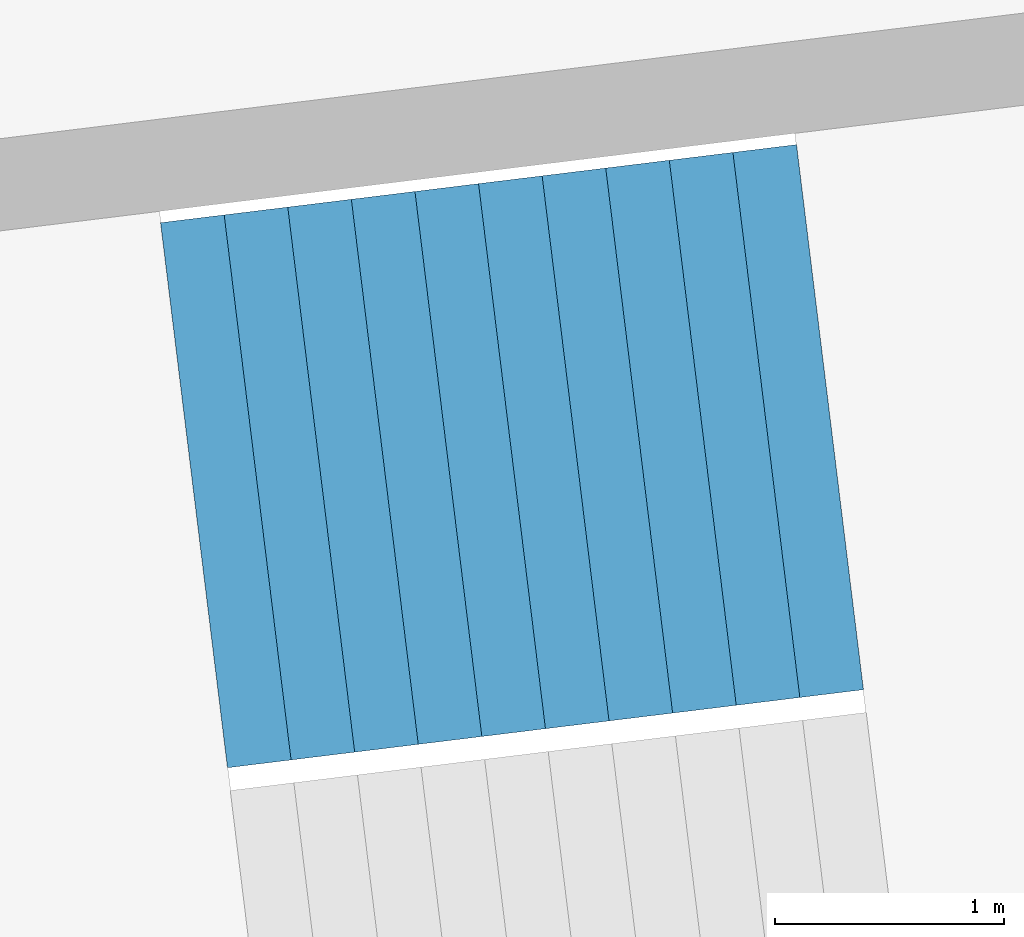
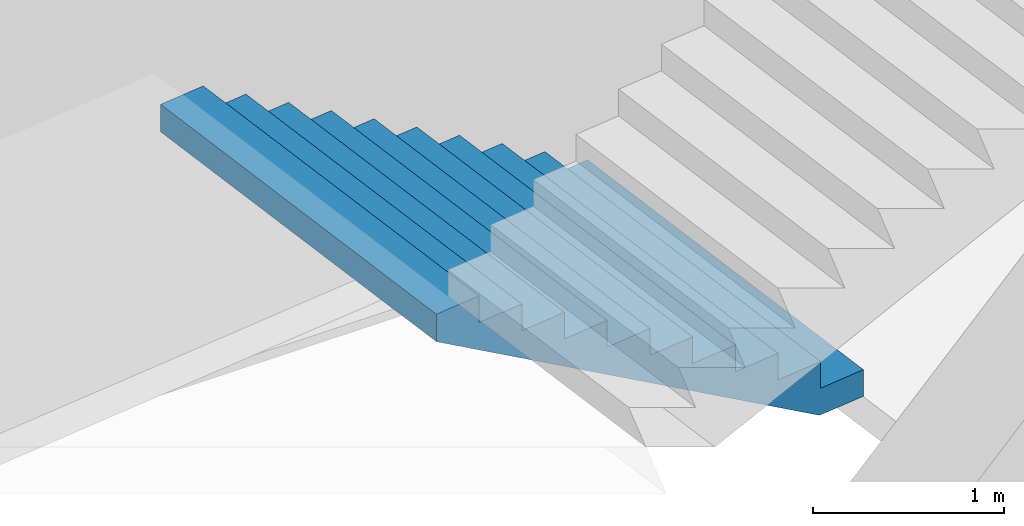
# One storey, part 24 of 73: 1 stair flight, 1 element without a shape of its own.
"""IFC4 building model written with IfcOpenShell, lengths in metres."""

import ifcopenshell
import ifcopenshell.guid

model = None  # the IFC model being written
_history = None  # IfcOwnerHistory: only IFC2X3 demands one
_inside = {}  # id of a spatial element -> (the spatial element, [elements in it])
_under = {}  # id of a project, library or spatial element -> (it, [spatial elements below it])
_declared = {}  # id of a project -> (the project, [libraries it declares])
_typed = {}  # id of a type object -> (the type object, [elements of that type])
_made_of = {}  # id of a material, layer set ... -> (it, [elements and type objects made of it])


def new_model(schema):
    """Start an empty IFC model of exactly this schema.

    Asked for "IFC4X3", IfcOpenShell would pick the latest addendum, in which some entities
    have other attributes; the version numbers below select the first issue.
    IFC2X3 requires an IfcOwnerHistory on every rooted entity: one is made here for all.
    """
    global model, _history
    if schema == "IFC4X3":
        model = ifcopenshell.file(schema_version=(4, 3, 0, 0))
    else:
        model = ifcopenshell.file(schema=schema)
    _inside.clear()
    _under.clear()
    _declared.clear()
    _typed.clear()
    _made_of.clear()
    _history = None
    if model.schema == "IFC2X3":
        org = make("IfcOrganization", Name="unknown")
        user = make(
            "IfcPersonAndOrganization",
            ThePerson=make("IfcPerson", FamilyName="unknown"),
            TheOrganization=org,
        )
        app = make(
            "IfcApplication",
            ApplicationDeveloper=org,
            Version="unknown",
            ApplicationFullName="unknown",
            ApplicationIdentifier="unknown",
        )
        _history = make(
            "IfcOwnerHistory",
            OwningUser=user,
            OwningApplication=app,
            ChangeAction="ADDED",
            CreationDate=0,
        )
    return model


def make(cls, **values):
    """One entity of the class cls with the attributes given. An attribute that is None is left unset."""
    return model.create_entity(
        cls, **{name: value for name, value in values.items() if value is not None}
    )


def rooted(cls, **values):
    """An entity with a GlobalId (a new one), such as an element, a storey or a relation."""
    return make(cls, GlobalId=ifcopenshell.guid.new(), OwnerHistory=_history, **values)


def si_unit(unit_type, name, prefix=None):
    """IfcSIUnit, for example si_unit("LENGTHUNIT", "METRE", prefix="MILLI")."""
    return make("IfcSIUnit", UnitType=unit_type, Prefix=prefix, Name=name)


def assignment(units):
    """IfcUnitAssignment: the units of a project."""
    return None if units is None else make("IfcUnitAssignment", Units=units)


def point(xyz):
    """IfcCartesianPoint."""
    return None if xyz is None else make("IfcCartesianPoint", Coordinates=xyz)


def direction(xyz):
    """IfcDirection."""
    return None if xyz is None else make("IfcDirection", DirectionRatios=xyz)


def frame(location, z_axis=None, x_axis=None):
    """IfcAxis2Placement3D, a coordinate frame: its origin and axes. An axis left out is left unset."""
    return make(
        "IfcAxis2Placement3D",
        Location=point(location),
        Axis=direction(z_axis),
        RefDirection=direction(x_axis),
    )


def origin():
    """The frame at (0, 0, 0) with its axes left unset."""
    return frame((0.0, 0.0, 0.0))


def place(relative_to, where):
    """IfcLocalPlacement: puts the frame where relative to a parent placement (None: the world)."""
    return make(
        "IfcLocalPlacement", PlacementRelTo=relative_to, RelativePlacement=where
    )


def context(
    kind, dimensions, precision=None, world=None, true_north=None, identifier=None
):
    """IfcGeometricRepresentationContext, for example the 3D "Model" context."""
    return make(
        "IfcGeometricRepresentationContext",
        ContextIdentifier=identifier,
        ContextType=kind,
        CoordinateSpaceDimension=dimensions,
        Precision=precision,
        WorldCoordinateSystem=world,
        TrueNorth=true_north,
    )


def subcontext(parent, identifier, kind, view, scale=None):
    """IfcGeometricRepresentationSubContext, for example "Body" below "Model"."""
    return make(
        "IfcGeometricRepresentationSubContext",
        ContextIdentifier=identifier,
        ContextType=kind,
        ParentContext=parent,
        TargetScale=scale,
        TargetView=view,
    )


def project(units=None, contexts=None):
    """IfcProject with its units and contexts."""
    return rooted(
        "IfcProject",
        Name="project",
        RepresentationContexts=contexts,
        UnitsInContext=assignment(units),
    )


def spatial(cls, under=None, at=None, **own):
    """A site, building, storey or space (cls), placed at a placement, below another one or the project."""
    s = rooted(cls, ObjectPlacement=at, **own)
    if under is not None:
        _under.setdefault(under.id(), (under, []))[1].append(s)
    return s


def point_list(points):
    """IfcCartesianPointList2D or 3D."""
    cls = (
        "IfcCartesianPointList2D" if len(points[0]) == 2 else "IfcCartesianPointList3D"
    )
    return make(cls, CoordList=points)


def triangles(points, corners, closed=None, point_numbers=None):
    """IfcTriangulatedFaceSet: each triangle names its three corners, points numbered from 1."""
    return make(
        "IfcTriangulatedFaceSet",
        Coordinates=point_list(points),
        Closed=closed,
        CoordIndex=corners,
        PnIndex=point_numbers,
    )


def shape(context_of_items, identifier, shape_type, items):
    """IfcShapeRepresentation: the items that make up one representation, for example the "Body"."""
    return make(
        "IfcShapeRepresentation",
        ContextOfItems=context_of_items,
        RepresentationIdentifier=identifier,
        RepresentationType=shape_type,
        Items=items,
    )


def material(Name=None, Category=None):
    """IfcMaterial."""
    return make("IfcMaterial", Name=Name, Category=Category)


def made_of(thing, what):
    """Note that an element or type object is made of a material, layer set ...; save() writes the relation."""
    if what is not None:
        _made_of.setdefault(what.id(), (what, []))[1].append(thing)
    return thing


def type_object(cls, material=None, **own):
    """A type object (cls), such as IfcWallType, which elements share."""
    return made_of(rooted(cls, **own), material)


def element(
    cls,
    number,
    at=None,
    inside=None,
    cuts=None,
    type_object=None,
    material=None,
    context=None,
    identifier="Body",
    shape_type=None,
    held_by="IfcProductDefinitionShape",
    body=None,
    shapes=None,
    **own,
):
    """One element of the class cls, such as IfcWall. Its Tag is "e" and its number.

    at: its placement. inside: the storey or other place that contains it. cuts: it is an
    opening in that element (IfcRelVoidsElement). A single representation is given by context,
    identifier, shape_type and body (its items); several are given by shapes. held_by: the class
    of the entity that holds the representations. save() writes the other relations.
    """
    e = rooted(cls, Tag="e%d" % number, ObjectPlacement=at, **own)
    if body is not None:
        shapes = [shape(context, identifier, shape_type, body)]
    if shapes is not None:
        e.Representation = make(held_by, Representations=shapes)
    if inside is not None:
        _inside.setdefault(inside.id(), (inside, []))[1].append(e)
    if cuts is not None:
        rooted(
            "IfcRelVoidsElement", RelatingBuildingElement=cuts, RelatedOpeningElement=e
        )
    if type_object is not None:
        _typed.setdefault(type_object.id(), (type_object, []))[1].append(e)
    return made_of(e, material)


def aggregate(whole, parts):
    """IfcRelAggregates: a whole, such as a stair, and the parts it consists of."""
    return rooted("IfcRelAggregates", RelatingObject=whole, RelatedObjects=parts)


def save(model, path):
    """Write the relations noted so far, then the file.

    IfcRelAggregates (storeys below a building ...), IfcRelContainedInSpatialStructure (elements
    in a storey), IfcRelDefinesByType, IfcRelAssociatesMaterial and IfcRelDeclares: one each for
    every whole, place, type object, material and project.
    """
    for whole, parts in _under.values():
        aggregate(whole, parts)
    for where, things in _inside.values():
        rooted(
            "IfcRelContainedInSpatialStructure",
            RelatedElements=things,
            RelatingStructure=where,
        )
    for kind, things in _typed.values():
        rooted("IfcRelDefinesByType", RelatedObjects=things, RelatingType=kind)
    for what, things in _made_of.values():
        rooted("IfcRelAssociatesMaterial", RelatedObjects=things, RelatingMaterial=what)
    for by, libraries in _declared.values():
        rooted("IfcRelDeclares", RelatingContext=by, RelatedDefinitions=libraries)
    model.write(path)


model = new_model("IFC4")

# Units and contexts
model_context = context("Model", 3, precision=1e-05, world=origin(), true_north=direction((0.0, 1.0)))
body_context = subcontext(model_context, "Body", "Model", "MODEL_VIEW")
ifc_project = project(units=[si_unit("LENGTHUNIT", "METRE"), si_unit("AREAUNIT", "SQUARE_METRE"), si_unit("VOLUMEUNIT", "CUBIC_METRE"), si_unit("PLANEANGLEUNIT", "RADIAN"), si_unit("MASSUNIT", "GRAM", prefix="KILO")], contexts=[model_context])

# Site, building, storey
site_placement = place(None, origin())
site = spatial("IfcSite", under=ifc_project, at=site_placement, CompositionType="ELEMENT")
building_placement = place(site_placement, origin())
building = spatial("IfcBuilding", under=site, at=building_placement, Name="Lantaw Convention Tower", CompositionType="ELEMENT")
storey_placement = place(building_placement, frame((0.0, 0.0, 14.5)))
storey = spatial("IfcBuildingStorey", under=building, at=storey_placement, Name="L02", CompositionType="ELEMENT", Elevation=14.5)

# Stair, stair flight
ifc_material = material(Name="Concrete C35/45", Category="concrete")
stair_type = type_object("IfcStairType", Name="Exit stair 2400 riser 170.45 in 4 flights", PredefinedType="HALF_TURN_STAIR", material=ifc_material)
stair_placement = place(storey_placement, origin())
stair = element("IfcStair", 1, at=stair_placement, inside=storey, type_object=stair_type, Name="Podium exit stair P10 L02", PredefinedType="HALF_TURN_STAIR")
stair_flight_type = type_object("IfcStairFlightType", Name="Stair flight 2400 riser 170.45", PredefinedType="STRAIGHT", material=ifc_material)
stair_flight_placement = place(storey_placement, frame((-35.162109375, -3.057861328125, 0.0), z_axis=(0.0, 0.0, 1.0), x_axis=(-0.992546151641, -0.121869343405, 0.0)))
stair_flight = element("IfcStairFlight", 2, at=stair_flight_placement, type_object=stair_flight_type, Name="P10 flight 1", NumberOfRisers=11, NumberOfTreads=10, PredefinedType="STRAIGHT", RiserHeight=0.170454545, TreadLength=0.28, context=body_context, shape_type="Tessellation", body=[
    triangles([(0.0, 1.199951171875, 0.0), (0.0, 1.199951171875, 0.170454545), (0.28, 1.199951171875, 0.0), (0.28, 1.199951171875, 0.170454545), (0.28, 1.199951171875, 0.34090909), (0.28827876332691904, 1.199951171875, 0.0), (0.28827876332691904, 1.199951171875, 0.34090909), (0.56, 1.199951171875, 0.16541471344266906), (0.56, 1.199951171875, 0.34090909), (0.56, 1.199951171875, 0.511363635), (0.8400000000000001, 1.199951171875, 0.335869258442669), (0.8400000000000001, 1.199951171875, 0.511363635), (0.8400000000000001, 1.199951171875, 0.68181818), (1.12, 1.199951171875, 0.506323803442669), (1.12, 1.199951171875, 0.68181818), (1.12, 1.199951171875, 0.8522727250000001), (1.4000000000000001, 1.199951171875, 0.676778348442669), (1.4000000000000001, 1.199951171875, 0.8522727250000001), (1.4000000000000001, 1.199951171875, 1.02272727), (1.6800000000000002, 1.199951171875, 0.847232893442669), (1.6800000000000002, 1.199951171875, 1.02272727), (1.6800000000000002, 1.199951171875, 1.193181815), (1.9600000000000002, 1.199951171875, 1.017687438442669), (1.9600000000000002, 1.199951171875, 1.193181815), (1.9600000000000002, 1.199951171875, 1.36363636), (2.24, 1.199951171875, 1.188141983442669), (2.24, 1.199951171875, 1.36363636), (2.24, 1.199951171875, 1.5340909050000002), (2.5200000000000005, 1.199951171875, 1.358596528442669), (2.5200000000000005, 1.199951171875, 1.5340909050000002), (2.5200000000000005, 1.199951171875, 1.7045454500000001), (2.8000000000000003, 1.199951171875, 1.529051073442669), (2.8000000000000003, 1.199951171875, 1.7045454500000001), (0.0, -1.199951171875, 0.0), (0.0, -1.199951171875, 0.170454545), (0.28, -1.199951171875, 0.0), (0.28, -1.199951171875, 0.170454545), (0.28, -1.199951171875, 0.34090909), (0.28827876332691904, -1.199951171875, 0.0), (0.28827876332691904, -1.199951171875, 0.34090909), (0.56, -1.199951171875, 0.16541471344266906), (0.56, -1.199951171875, 0.34090909), (0.56, -1.199951171875, 0.511363635), (0.8400000000000001, -1.199951171875, 0.335869258442669), (0.8400000000000001, -1.199951171875, 0.511363635), (0.8400000000000001, -1.199951171875, 0.68181818), (1.12, -1.199951171875, 0.506323803442669), (1.12, -1.199951171875, 0.68181818), (1.12, -1.199951171875, 0.8522727250000001), (1.4000000000000001, -1.199951171875, 0.676778348442669), (1.4000000000000001, -1.199951171875, 0.8522727250000001), (1.4000000000000001, -1.199951171875, 1.02272727), (1.6800000000000002, -1.199951171875, 0.847232893442669), (1.6800000000000002, -1.199951171875, 1.02272727), (1.6800000000000002, -1.199951171875, 1.193181815), (1.9600000000000002, -1.199951171875, 1.017687438442669), (1.9600000000000002, -1.199951171875, 1.193181815), (1.9600000000000002, -1.199951171875, 1.36363636), (2.24, -1.199951171875, 1.188141983442669), (2.24, -1.199951171875, 1.36363636), (2.24, -1.199951171875, 1.5340909050000002), (2.5200000000000005, -1.199951171875, 1.358596528442669), (2.5200000000000005, -1.199951171875, 1.5340909050000002), (2.5200000000000005, -1.199951171875, 1.7045454500000001), (2.8000000000000003, -1.199951171875, 1.529051073442669), (2.8000000000000003, -1.199951171875, 1.7045454500000001), (0.0, 0.239990234375, 0.170454545), (0.0, 0.239990234375, 0.0), (0.0, 0.1199951171875, 0.170454545), (0.0, 0.1199951171875, 0.0), (0.0, 0.0, 0.170454545), (0.0, 0.0, 0.0), (0.0, -0.1199951171875, 0.170454545), (0.0, -0.1199951171875, 0.0), (0.0, -0.239990234375, 0.170454545), (0.0, -0.239990234375, 0.0), (0.28, 0.239990234375, 0.34090909), (0.28, 0.239990234375, 0.170454545), (0.28, 0.1199951171875, 0.34090909), (0.28, 0.1199951171875, 0.170454545), (0.28, 0.0, 0.34090909), (0.28, 0.0, 0.170454545), (0.28, -0.1199951171875, 0.34090909), (0.28, -0.1199951171875, 0.170454545), (0.28, -0.239990234375, 0.34090909), (0.28, -0.239990234375, 0.170454545), (0.56, 0.239990234375, 0.511363635), (0.56, 0.239990234375, 0.34090909), (0.56, 0.1199951171875, 0.511363635), (0.56, 0.1199951171875, 0.34090909), (0.56, 0.0, 0.511363635), (0.56, 0.0, 0.34090909), (0.56, -0.1199951171875, 0.511363635), (0.56, -0.1199951171875, 0.34090909), (0.56, -0.239990234375, 0.511363635), (0.56, -0.239990234375, 0.34090909), (0.8400000000000001, 0.239990234375, 0.68181818), (0.8400000000000001, 0.239990234375, 0.511363635), (0.8400000000000001, 0.1199951171875, 0.68181818), (0.8400000000000001, 0.1199951171875, 0.511363635), (0.8400000000000001, 0.0, 0.68181818), (0.8400000000000001, 0.0, 0.511363635), (0.8400000000000001, -0.1199951171875, 0.68181818), (0.8400000000000001, -0.1199951171875, 0.511363635), (0.8400000000000001, -0.239990234375, 0.68181818), (0.8400000000000001, -0.239990234375, 0.511363635), (1.12, 0.239990234375, 0.8522727250000001), (1.12, 0.239990234375, 0.68181818), (1.12, 0.1199951171875, 0.8522727250000001), (1.12, 0.1199951171875, 0.68181818), (1.12, 0.0, 0.8522727250000001), (1.12, 0.0, 0.68181818), (1.12, -0.1199951171875, 0.8522727250000001), (1.12, -0.1199951171875, 0.68181818), (1.12, -0.239990234375, 0.8522727250000001), (1.12, -0.239990234375, 0.68181818), (1.4000000000000001, 0.239990234375, 1.02272727), (1.4000000000000001, 0.239990234375, 0.8522727250000001), (1.4000000000000001, 0.1199951171875, 1.02272727), (1.4000000000000001, 0.1199951171875, 0.8522727250000001), (1.4000000000000001, 0.0, 1.02272727), (1.4000000000000001, 0.0, 0.8522727250000001), (1.4000000000000001, -0.1199951171875, 1.02272727), (1.4000000000000001, -0.1199951171875, 0.8522727250000001), (1.4000000000000001, -0.239990234375, 1.02272727), (1.4000000000000001, -0.239990234375, 0.8522727250000001), (1.6800000000000002, 0.239990234375, 1.193181815), (1.6800000000000002, 0.239990234375, 1.02272727), (1.6800000000000002, 0.1199951171875, 1.193181815), (1.6800000000000002, 0.1199951171875, 1.02272727), (1.6800000000000002, 0.0, 1.193181815), (1.6800000000000002, 0.0, 1.02272727), (1.6800000000000002, -0.1199951171875, 1.193181815), (1.6800000000000002, -0.1199951171875, 1.02272727), (1.6800000000000002, -0.239990234375, 1.193181815), (1.6800000000000002, -0.239990234375, 1.02272727), (1.9600000000000002, 0.239990234375, 1.36363636), (1.9600000000000002, 0.239990234375, 1.193181815), (1.9600000000000002, 0.1199951171875, 1.36363636), (1.9600000000000002, 0.1199951171875, 1.193181815), (1.9600000000000002, 0.0, 1.36363636), (1.9600000000000002, 0.0, 1.193181815), (1.9600000000000002, -0.1199951171875, 1.36363636), (1.9600000000000002, -0.1199951171875, 1.193181815), (1.9600000000000002, -0.239990234375, 1.36363636), (1.9600000000000002, -0.239990234375, 1.193181815), (2.24, 0.239990234375, 1.5340909050000002), (2.24, 0.239990234375, 1.36363636), (2.24, 0.1199951171875, 1.5340909050000002), (2.24, 0.1199951171875, 1.36363636), (2.24, 0.0, 1.5340909050000002), (2.24, 0.0, 1.36363636), (2.24, -0.1199951171875, 1.5340909050000002), (2.24, -0.1199951171875, 1.36363636), (2.24, -0.239990234375, 1.5340909050000002), (2.24, -0.239990234375, 1.36363636), (2.5200000000000005, 0.239990234375, 1.7045454500000001), (2.5200000000000005, 0.239990234375, 1.5340909050000002), (2.5200000000000005, 0.1199951171875, 1.7045454500000001), (2.5200000000000005, 0.1199951171875, 1.5340909050000002), (2.5200000000000005, 0.0, 1.7045454500000001), (2.5200000000000005, 0.0, 1.5340909050000002), (2.5200000000000005, -0.1199951171875, 1.7045454500000001), (2.5200000000000005, -0.1199951171875, 1.5340909050000002), (2.5200000000000005, -0.239990234375, 1.7045454500000001), (2.5200000000000005, -0.239990234375, 1.5340909050000002), (0.28827876332691904, 0.239990234375, 0.34090909), (0.28827876332691904, 0.1199951171875, 0.34090909), (0.28827876332691904, 0.0, 0.34090909), (0.28827876332691904, -0.1199951171875, 0.34090909), (0.28827876332691904, -0.239990234375, 0.34090909), (2.8000000000000003, 0.239990234375, 1.7045454500000001), (2.8000000000000003, 0.1199951171875, 1.7045454500000001), (2.8000000000000003, 0.0, 1.7045454500000001), (2.8000000000000003, -0.1199951171875, 1.7045454500000001), (2.8000000000000003, -0.239990234375, 1.7045454500000001), (2.8000000000000003, 0.239990234375, 1.5290510734426692), (2.8000000000000003, 0.1199951171875, 1.5290510734426692), (2.8000000000000003, 0.0, 1.5290510734426692), (2.8000000000000003, -0.1199951171875, 1.5290510734426692), (2.8000000000000003, -0.239990234375, 1.5290510734426692), (2.5200000000000005, 0.239990234375, 1.358596528442669), (2.5200000000000005, 0.1199951171875, 1.358596528442669), (2.5200000000000005, 0.0, 1.358596528442669), (2.5200000000000005, -0.1199951171875, 1.358596528442669), (2.5200000000000005, -0.239990234375, 1.358596528442669), (2.24, 0.239990234375, 1.188141983442669), (2.24, 0.1199951171875, 1.188141983442669), (2.24, 0.0, 1.188141983442669), (2.24, -0.1199951171875, 1.188141983442669), (2.24, -0.239990234375, 1.188141983442669), (1.9600000000000002, 0.239990234375, 1.017687438442669), (1.9600000000000002, 0.1199951171875, 1.017687438442669), (1.9600000000000002, 0.0, 1.017687438442669), (1.9600000000000002, -0.1199951171875, 1.017687438442669), (1.9600000000000002, -0.239990234375, 1.017687438442669), (1.6800000000000002, 0.239990234375, 0.847232893442669), (1.6800000000000002, 0.1199951171875, 0.847232893442669), (1.6800000000000002, 0.0, 0.847232893442669), (1.6800000000000002, -0.1199951171875, 0.847232893442669), (1.6800000000000002, -0.239990234375, 0.847232893442669), (1.4000000000000001, 0.239990234375, 0.676778348442669), (1.4000000000000001, 0.1199951171875, 0.676778348442669), (1.4000000000000001, 0.0, 0.676778348442669), (1.4000000000000001, -0.1199951171875, 0.676778348442669), (1.4000000000000001, -0.239990234375, 0.676778348442669), (1.12, 0.239990234375, 0.506323803442669), (1.12, 0.1199951171875, 0.506323803442669), (1.12, 0.0, 0.506323803442669), (1.12, -0.1199951171875, 0.506323803442669), (1.12, -0.239990234375, 0.506323803442669), (0.8400000000000001, 0.239990234375, 0.335869258442669), (0.8400000000000001, 0.1199951171875, 0.335869258442669), (0.8400000000000001, 0.0, 0.335869258442669), (0.8400000000000001, -0.1199951171875, 0.335869258442669), (0.8400000000000001, -0.239990234375, 0.335869258442669), (0.56, 0.239990234375, 0.16541471344266906), (0.56, 0.1199951171875, 0.16541471344266906), (0.56, 0.0, 0.16541471344266906), (0.56, -0.1199951171875, 0.16541471344266906), (0.56, -0.239990234375, 0.16541471344266906), (0.28827876332691904, 0.239990234375, 0.0), (0.28827876332691904, 0.1199951171875, 0.0), (0.28827876332691904, 0.0, 0.0), (0.28827876332691904, -0.1199951171875, 0.0), (0.28827876332691904, -0.239990234375, 0.0), (0.28, 0.239990234375, 0.0), (0.28, 0.1199951171875, 0.0), (0.28, 0.0, 0.0), (0.28, -0.1199951171875, 0.0), (0.28, -0.239990234375, 0.0)], [[1, 4, 3], [1, 2, 4], [3, 4, 6], [4, 7, 6], [4, 5, 7], [6, 9, 8], [6, 7, 9], [8, 9, 11], [9, 12, 11], [9, 10, 12], [11, 12, 14], [12, 15, 14], [12, 13, 15], [14, 15, 17], [15, 18, 17], [15, 16, 18], [17, 18, 20], [18, 21, 20], [18, 19, 21], [20, 21, 23], [21, 24, 23], [21, 22, 24], [23, 24, 26], [24, 27, 26], [24, 25, 27], [26, 27, 29], [27, 30, 29], [27, 28, 30], [29, 30, 32], [30, 33, 32], [30, 31, 33], [34, 36, 37], [34, 37, 35], [36, 39, 37], [37, 39, 40], [37, 40, 38], [39, 41, 42], [39, 42, 40], [41, 44, 42], [42, 44, 45], [42, 45, 43], [44, 47, 45], [45, 47, 48], [45, 48, 46], [47, 50, 48], [48, 50, 51], [48, 51, 49], [50, 53, 51], [51, 53, 54], [51, 54, 52], [53, 56, 54], [54, 56, 57], [54, 57, 55], [56, 59, 57], [57, 59, 60], [57, 60, 58], [59, 62, 60], [60, 62, 63], [60, 63, 61], [62, 65, 63], [63, 65, 66], [63, 66, 64], [1, 67, 2], [1, 68, 67], [68, 69, 67], [68, 70, 69], [70, 71, 69], [70, 72, 71], [72, 73, 71], [72, 74, 73], [74, 75, 73], [74, 76, 75], [76, 35, 75], [76, 34, 35], [4, 77, 5], [4, 78, 77], [78, 79, 77], [78, 80, 79], [80, 81, 79], [80, 82, 81], [82, 83, 81], [82, 84, 83], [84, 85, 83], [84, 86, 85], [86, 38, 85], [86, 37, 38], [9, 87, 10], [9, 88, 87], [88, 89, 87], [88, 90, 89], [90, 91, 89], [90, 92, 91], [92, 93, 91], [92, 94, 93], [94, 95, 93], [94, 96, 95], [96, 43, 95], [96, 42, 43], [12, 97, 13], [12, 98, 97], [98, 99, 97], [98, 100, 99], [100, 101, 99], [100, 102, 101], [102, 103, 101], [102, 104, 103], [104, 105, 103], [104, 106, 105], [106, 46, 105], [106, 45, 46], [15, 107, 16], [15, 108, 107], [108, 109, 107], [108, 110, 109], [110, 111, 109], [110, 112, 111], [112, 113, 111], [112, 114, 113], [114, 115, 113], [114, 116, 115], [116, 49, 115], [116, 48, 49], [18, 117, 19], [18, 118, 117], [118, 119, 117], [118, 120, 119], [120, 121, 119], [120, 122, 121], [122, 123, 121], [122, 124, 123], [124, 125, 123], [124, 126, 125], [126, 52, 125], [126, 51, 52], [21, 127, 22], [21, 128, 127], [128, 129, 127], [128, 130, 129], [130, 131, 129], [130, 132, 131], [132, 133, 131], [132, 134, 133], [134, 135, 133], [134, 136, 135], [136, 55, 135], [136, 54, 55], [24, 137, 25], [24, 138, 137], [138, 139, 137], [138, 140, 139], [140, 141, 139], [140, 142, 141], [142, 143, 141], [142, 144, 143], [144, 145, 143], [144, 146, 145], [146, 58, 145], [146, 57, 58], [27, 147, 28], [27, 148, 147], [148, 149, 147], [148, 150, 149], [150, 151, 149], [150, 152, 151], [152, 153, 151], [152, 154, 153], [154, 155, 153], [154, 156, 155], [156, 61, 155], [156, 60, 61], [30, 157, 31], [30, 158, 157], [158, 159, 157], [158, 160, 159], [160, 161, 159], [160, 162, 161], [162, 163, 161], [162, 164, 163], [164, 165, 163], [164, 166, 165], [166, 64, 165], [166, 63, 64], [2, 78, 4], [2, 67, 78], [67, 80, 78], [67, 69, 80], [69, 82, 80], [69, 71, 82], [71, 84, 82], [71, 73, 84], [73, 86, 84], [73, 75, 86], [75, 37, 86], [75, 35, 37], [5, 167, 7], [5, 77, 167], [77, 168, 167], [77, 79, 168], [79, 169, 168], [79, 81, 169], [81, 170, 169], [81, 83, 170], [83, 171, 170], [83, 85, 171], [85, 40, 171], [85, 38, 40], [7, 88, 9], [7, 167, 88], [167, 90, 88], [167, 168, 90], [168, 92, 90], [168, 169, 92], [169, 94, 92], [169, 170, 94], [170, 96, 94], [170, 171, 96], [171, 42, 96], [171, 40, 42], [10, 98, 12], [10, 87, 98], [87, 100, 98], [87, 89, 100], [89, 102, 100], [89, 91, 102], [91, 104, 102], [91, 93, 104], [93, 106, 104], [93, 95, 106], [95, 45, 106], [95, 43, 45], [13, 108, 15], [13, 97, 108], [97, 110, 108], [97, 99, 110], [99, 112, 110], [99, 101, 112], [101, 114, 112], [101, 103, 114], [103, 116, 114], [103, 105, 116], [105, 48, 116], [105, 46, 48], [16, 118, 18], [16, 107, 118], [107, 120, 118], [107, 109, 120], [109, 122, 120], [109, 111, 122], [111, 124, 122], [111, 113, 124], [113, 126, 124], [113, 115, 126], [115, 51, 126], [115, 49, 51], [19, 128, 21], [19, 117, 128], [117, 130, 128], [117, 119, 130], [119, 132, 130], [119, 121, 132], [121, 134, 132], [121, 123, 134], [123, 136, 134], [123, 125, 136], [125, 54, 136], [125, 52, 54], [22, 138, 24], [22, 127, 138], [127, 140, 138], [127, 129, 140], [129, 142, 140], [129, 131, 142], [131, 144, 142], [131, 133, 144], [133, 146, 144], [133, 135, 146], [135, 57, 146], [135, 55, 57], [25, 148, 27], [25, 137, 148], [137, 150, 148], [137, 139, 150], [139, 152, 150], [139, 141, 152], [141, 154, 152], [141, 143, 154], [143, 156, 154], [143, 145, 156], [145, 60, 156], [145, 58, 60], [28, 158, 30], [28, 147, 158], [147, 160, 158], [147, 149, 160], [149, 162, 160], [149, 151, 162], [151, 164, 162], [151, 153, 164], [153, 166, 164], [153, 155, 166], [155, 63, 166], [155, 61, 63], [31, 172, 33], [31, 157, 172], [157, 173, 172], [157, 159, 173], [159, 174, 173], [159, 161, 174], [161, 175, 174], [161, 163, 175], [163, 176, 175], [163, 165, 176], [165, 66, 176], [165, 64, 66], [33, 177, 32], [33, 172, 177], [172, 178, 177], [172, 173, 178], [173, 179, 178], [173, 174, 179], [174, 180, 179], [174, 175, 180], [175, 181, 180], [175, 176, 181], [176, 65, 181], [176, 66, 65], [32, 182, 29], [32, 177, 182], [177, 183, 182], [177, 178, 183], [178, 184, 183], [178, 179, 184], [179, 185, 184], [179, 180, 185], [180, 186, 185], [180, 181, 186], [181, 62, 186], [181, 65, 62], [29, 187, 26], [29, 182, 187], [182, 188, 187], [182, 183, 188], [183, 189, 188], [183, 184, 189], [184, 190, 189], [184, 185, 190], [185, 191, 190], [185, 186, 191], [186, 59, 191], [186, 62, 59], [26, 192, 23], [26, 187, 192], [187, 193, 192], [187, 188, 193], [188, 194, 193], [188, 189, 194], [189, 195, 194], [189, 190, 195], [190, 196, 195], [190, 191, 196], [191, 56, 196], [191, 59, 56], [23, 197, 20], [23, 192, 197], [192, 198, 197], [192, 193, 198], [193, 199, 198], [193, 194, 199], [194, 200, 199], [194, 195, 200], [195, 201, 200], [195, 196, 201], [196, 53, 201], [196, 56, 53], [20, 202, 17], [20, 197, 202], [197, 203, 202], [197, 198, 203], [198, 204, 203], [198, 199, 204], [199, 205, 204], [199, 200, 205], [200, 206, 205], [200, 201, 206], [201, 50, 206], [201, 53, 50], [17, 207, 14], [17, 202, 207], [202, 208, 207], [202, 203, 208], [203, 209, 208], [203, 204, 209], [204, 210, 209], [204, 205, 210], [205, 211, 210], [205, 206, 211], [206, 47, 211], [206, 50, 47], [14, 212, 11], [14, 207, 212], [207, 213, 212], [207, 208, 213], [208, 214, 213], [208, 209, 214], [209, 215, 214], [209, 210, 215], [210, 216, 215], [210, 211, 216], [211, 44, 216], [211, 47, 44], [11, 217, 8], [11, 212, 217], [212, 218, 217], [212, 213, 218], [213, 219, 218], [213, 214, 219], [214, 220, 219], [214, 215, 220], [215, 221, 220], [215, 216, 221], [216, 41, 221], [216, 44, 41], [8, 222, 6], [8, 217, 222], [217, 223, 222], [217, 218, 223], [218, 224, 223], [218, 219, 224], [219, 225, 224], [219, 220, 225], [220, 226, 225], [220, 221, 226], [221, 39, 226], [221, 41, 39], [6, 227, 3], [6, 222, 227], [222, 228, 227], [222, 223, 228], [223, 229, 228], [223, 224, 229], [224, 230, 229], [224, 225, 230], [225, 231, 230], [225, 226, 231], [226, 36, 231], [226, 39, 36], [3, 68, 1], [3, 227, 68], [227, 70, 68], [227, 228, 70], [228, 72, 70], [228, 229, 72], [229, 74, 72], [229, 230, 74], [230, 76, 74], [230, 231, 76], [231, 34, 76], [231, 36, 34]], closed=True),
])
aggregate(stair, [stair_flight])

save(model, "model.ifc")
